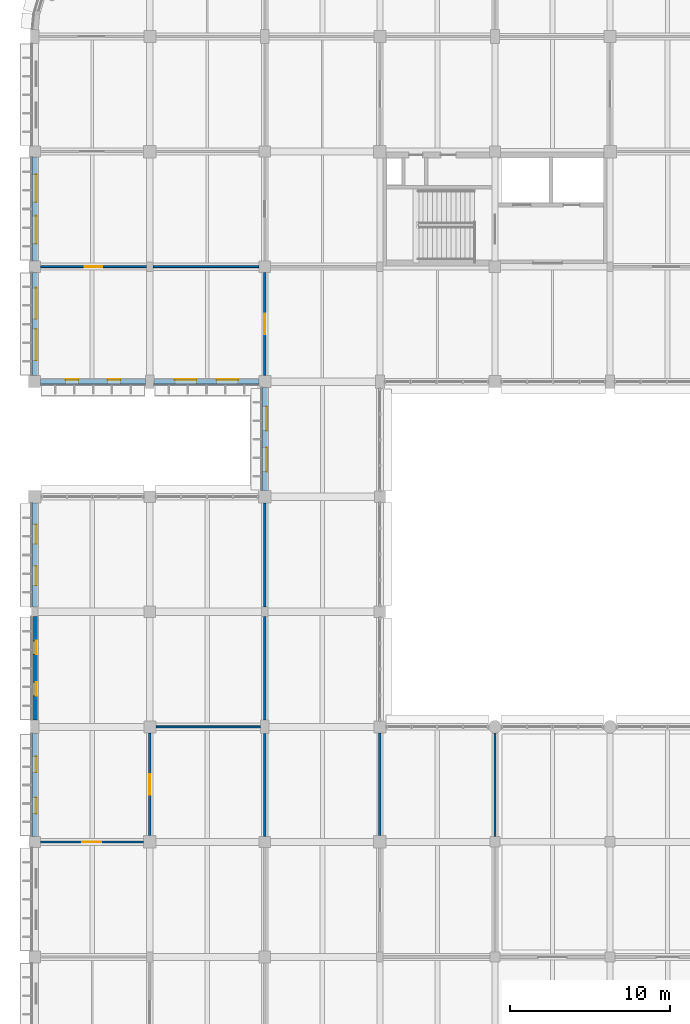
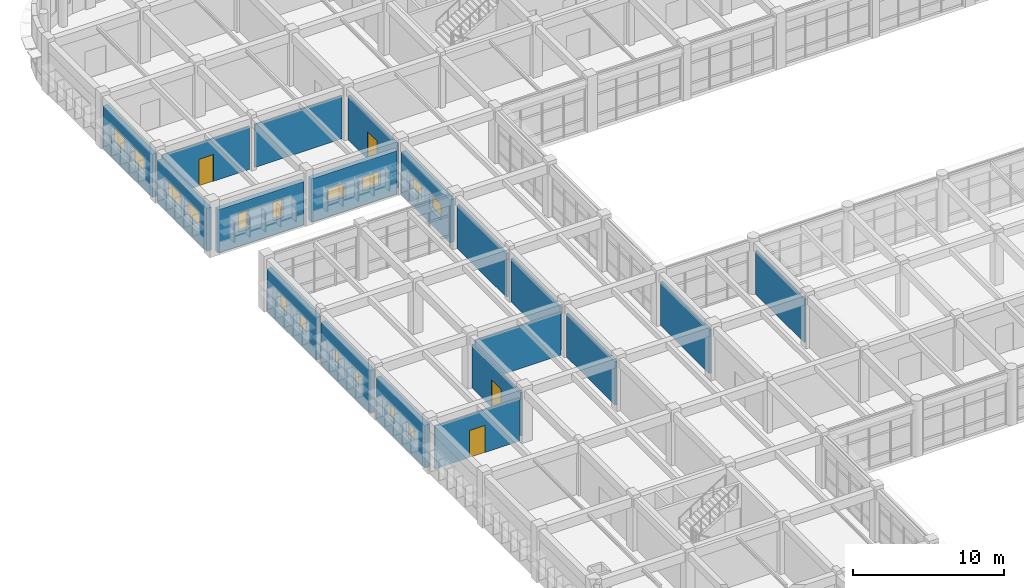
# One storey, part 154 of 171: 19 walls, 16 windows, 4 doors, 20 openings.
"""IFC4 building model written with IfcOpenShell, lengths in metres."""

import ifcopenshell
import ifcopenshell.guid

model = None  # the IFC model being written
_history = None  # IfcOwnerHistory: only IFC2X3 demands one
_inside = {}  # id of a spatial element -> (the spatial element, [elements in it])
_under = {}  # id of a project, library or spatial element -> (it, [spatial elements below it])
_declared = {}  # id of a project -> (the project, [libraries it declares])
_typed = {}  # id of a type object -> (the type object, [elements of that type])
_made_of = {}  # id of a material, layer set ... -> (it, [elements and type objects made of it])


def new_model(schema):
    """Start an empty IFC model of exactly this schema.

    Asked for "IFC4X3", IfcOpenShell would pick the latest addendum, in which some entities
    have other attributes; the version numbers below select the first issue.
    IFC2X3 requires an IfcOwnerHistory on every rooted entity: one is made here for all.
    """
    global model, _history
    if schema == "IFC4X3":
        model = ifcopenshell.file(schema_version=(4, 3, 0, 0))
    else:
        model = ifcopenshell.file(schema=schema)
    _inside.clear()
    _under.clear()
    _declared.clear()
    _typed.clear()
    _made_of.clear()
    _history = None
    if model.schema == "IFC2X3":
        org = make("IfcOrganization", Name="unknown")
        user = make(
            "IfcPersonAndOrganization",
            ThePerson=make("IfcPerson", FamilyName="unknown"),
            TheOrganization=org,
        )
        app = make(
            "IfcApplication",
            ApplicationDeveloper=org,
            Version="unknown",
            ApplicationFullName="unknown",
            ApplicationIdentifier="unknown",
        )
        _history = make(
            "IfcOwnerHistory",
            OwningUser=user,
            OwningApplication=app,
            ChangeAction="ADDED",
            CreationDate=0,
        )
    return model


def make(cls, **values):
    """One entity of the class cls with the attributes given. An attribute that is None is left unset."""
    return model.create_entity(
        cls, **{name: value for name, value in values.items() if value is not None}
    )


def rooted(cls, **values):
    """An entity with a GlobalId (a new one), such as an element, a storey or a relation."""
    return make(cls, GlobalId=ifcopenshell.guid.new(), OwnerHistory=_history, **values)


def si_unit(unit_type, name, prefix=None):
    """IfcSIUnit, for example si_unit("LENGTHUNIT", "METRE", prefix="MILLI")."""
    return make("IfcSIUnit", UnitType=unit_type, Prefix=prefix, Name=name)


def assignment(units):
    """IfcUnitAssignment: the units of a project."""
    return None if units is None else make("IfcUnitAssignment", Units=units)


def point(xyz):
    """IfcCartesianPoint."""
    return None if xyz is None else make("IfcCartesianPoint", Coordinates=xyz)


def direction(xyz):
    """IfcDirection."""
    return None if xyz is None else make("IfcDirection", DirectionRatios=xyz)


def frame(location, z_axis=None, x_axis=None):
    """IfcAxis2Placement3D, a coordinate frame: its origin and axes. An axis left out is left unset."""
    return make(
        "IfcAxis2Placement3D",
        Location=point(location),
        Axis=direction(z_axis),
        RefDirection=direction(x_axis),
    )


def frame_2d(location, x_axis=None):
    """IfcAxis2Placement2D, a coordinate frame in the plane: its origin and x axis."""
    return make(
        "IfcAxis2Placement2D", Location=point(location), RefDirection=direction(x_axis)
    )


def origin():
    """The frame at (0, 0, 0) with its axes left unset."""
    return frame((0.0, 0.0, 0.0))


def place(relative_to, where):
    """IfcLocalPlacement: puts the frame where relative to a parent placement (None: the world)."""
    return make(
        "IfcLocalPlacement", PlacementRelTo=relative_to, RelativePlacement=where
    )


def context(
    kind, dimensions, precision=None, world=None, true_north=None, identifier=None
):
    """IfcGeometricRepresentationContext, for example the 3D "Model" context."""
    return make(
        "IfcGeometricRepresentationContext",
        ContextIdentifier=identifier,
        ContextType=kind,
        CoordinateSpaceDimension=dimensions,
        Precision=precision,
        WorldCoordinateSystem=world,
        TrueNorth=true_north,
    )


def subcontext(parent, identifier, kind, view, scale=None):
    """IfcGeometricRepresentationSubContext, for example "Body" below "Model"."""
    return make(
        "IfcGeometricRepresentationSubContext",
        ContextIdentifier=identifier,
        ContextType=kind,
        ParentContext=parent,
        TargetScale=scale,
        TargetView=view,
    )


def project(units=None, contexts=None):
    """IfcProject with its units and contexts."""
    return rooted(
        "IfcProject",
        Name="project",
        RepresentationContexts=contexts,
        UnitsInContext=assignment(units),
    )


def spatial(cls, under=None, at=None, **own):
    """A site, building, storey or space (cls), placed at a placement, below another one or the project."""
    s = rooted(cls, ObjectPlacement=at, **own)
    if under is not None:
        _under.setdefault(under.id(), (under, []))[1].append(s)
    return s


def profile(cls, at=None, kind="AREA", **sizes):
    """A parametric profile (cls). Its sizes go by their IFC names, for example OverallWidth=200.0."""
    return make(cls, ProfileType=kind, Position=at, **sizes)


def rectangle(**sizes):
    """IfcRectangleProfileDef."""
    return profile("IfcRectangleProfileDef", **sizes)


def extrude(swept, where, along, depth):
    """IfcExtrudedAreaSolid: the profile swept, set in the frame where, extruded along a direction by depth."""
    return make(
        "IfcExtrudedAreaSolid",
        SweptArea=swept,
        Position=where,
        ExtrudedDirection=direction(along),
        Depth=depth,
    )


def shape(context_of_items, identifier, shape_type, items):
    """IfcShapeRepresentation: the items that make up one representation, for example the "Body"."""
    return make(
        "IfcShapeRepresentation",
        ContextOfItems=context_of_items,
        RepresentationIdentifier=identifier,
        RepresentationType=shape_type,
        Items=items,
    )


def material(Name=None, Category=None):
    """IfcMaterial."""
    return make("IfcMaterial", Name=Name, Category=Category)


def layer(
    of_material, thickness, ventilated=None, Name=None, Category=None, Priority=None
):
    """IfcMaterialLayer: one layer of a wall or slab, of a material (None: an air gap)."""
    return make(
        "IfcMaterialLayer",
        Material=of_material,
        LayerThickness=thickness,
        IsVentilated=ventilated,
        Name=Name,
        Category=Category,
        Priority=Priority,
    )


def layer_set(layers, Name=None):
    """IfcMaterialLayerSet."""
    return make("IfcMaterialLayerSet", MaterialLayers=layers, LayerSetName=Name)


def made_of(thing, what):
    """Note that an element or type object is made of a material, layer set ...; save() writes the relation."""
    if what is not None:
        _made_of.setdefault(what.id(), (what, []))[1].append(thing)
    return thing


def type_object(cls, material=None, **own):
    """A type object (cls), such as IfcWallType, which elements share."""
    return made_of(rooted(cls, **own), material)


def element(
    cls,
    number,
    at=None,
    inside=None,
    cuts=None,
    type_object=None,
    material=None,
    context=None,
    identifier="Body",
    shape_type=None,
    held_by="IfcProductDefinitionShape",
    body=None,
    shapes=None,
    **own,
):
    """One element of the class cls, such as IfcWall. Its Tag is "e" and its number.

    at: its placement. inside: the storey or other place that contains it. cuts: it is an
    opening in that element (IfcRelVoidsElement). A single representation is given by context,
    identifier, shape_type and body (its items); several are given by shapes. held_by: the class
    of the entity that holds the representations. save() writes the other relations.
    """
    e = rooted(cls, Tag="e%d" % number, ObjectPlacement=at, **own)
    if body is not None:
        shapes = [shape(context, identifier, shape_type, body)]
    if shapes is not None:
        e.Representation = make(held_by, Representations=shapes)
    if inside is not None:
        _inside.setdefault(inside.id(), (inside, []))[1].append(e)
    if cuts is not None:
        rooted(
            "IfcRelVoidsElement", RelatingBuildingElement=cuts, RelatedOpeningElement=e
        )
    if type_object is not None:
        _typed.setdefault(type_object.id(), (type_object, []))[1].append(e)
    return made_of(e, material)


def fill(opening, filler):
    """IfcRelFillsElement: the door or window that sits in an opening."""
    return rooted(
        "IfcRelFillsElement",
        RelatingOpeningElement=opening,
        RelatedBuildingElement=filler,
    )


def aggregate(whole, parts):
    """IfcRelAggregates: a whole, such as a stair, and the parts it consists of."""
    return rooted("IfcRelAggregates", RelatingObject=whole, RelatedObjects=parts)


def save(model, path):
    """Write the relations noted so far, then the file.

    IfcRelAggregates (storeys below a building ...), IfcRelContainedInSpatialStructure (elements
    in a storey), IfcRelDefinesByType, IfcRelAssociatesMaterial and IfcRelDeclares: one each for
    every whole, place, type object, material and project.
    """
    for whole, parts in _under.values():
        aggregate(whole, parts)
    for where, things in _inside.values():
        rooted(
            "IfcRelContainedInSpatialStructure",
            RelatedElements=things,
            RelatingStructure=where,
        )
    for kind, things in _typed.values():
        rooted("IfcRelDefinesByType", RelatedObjects=things, RelatingType=kind)
    for what, things in _made_of.values():
        rooted("IfcRelAssociatesMaterial", RelatedObjects=things, RelatingMaterial=what)
    for by, libraries in _declared.values():
        rooted("IfcRelDeclares", RelatingContext=by, RelatedDefinitions=libraries)
    model.write(path)


model = new_model("IFC4")

# Units and contexts
model_context = context("Model", 3, precision=1e-05, world=origin(), true_north=direction((0.0, 1.0)))
body_context = subcontext(model_context, "Body", "Model", "MODEL_VIEW")
ifc_project = project(units=[si_unit("LENGTHUNIT", "METRE"), si_unit("AREAUNIT", "SQUARE_METRE"), si_unit("VOLUMEUNIT", "CUBIC_METRE"), si_unit("PLANEANGLEUNIT", "RADIAN"), si_unit("MASSUNIT", "GRAM", prefix="KILO")], contexts=[model_context])

# Site, building, storey
site_placement = place(None, origin())
site = spatial("IfcSite", under=ifc_project, at=site_placement, CompositionType="ELEMENT")
building_placement = place(site_placement, origin())
building = spatial("IfcBuilding", under=site, at=building_placement, Name="Thalmaran Polytechnic", CompositionType="ELEMENT")
storey_placement = place(building_placement, frame((0.0, 0.0, 5.39990234375)))
storey = spatial("IfcBuildingStorey", under=building, at=storey_placement, Name="L01", CompositionType="ELEMENT", Elevation=5.39990234375)

# Wall, openings, windows
ifc_material_1 = material(Name="Precast concrete C40/50", Category="concrete")
ifc_layer_1 = layer(ifc_material_1, 0.360107421875, Name="Precast concrete C40/50")
ifc_layer_set_1 = layer_set([ifc_layer_1], Name="Precast concrete C40/50")
wall_type_1 = type_object("IfcWallType", Name="WL-EW01", PredefinedType="STANDARD", material=ifc_layer_set_1)
wall_1_placement = place(storey_placement, frame((0.0, 65.14990234375, 0.0), z_axis=(0.0, 0.0, 1.0), x_axis=(0.0, 1.0, 0.0)))
wall_1 = element("IfcWall", 1, at=wall_1_placement, inside=storey, type_object=wall_type_1, Name="Exterior Precast Facade Wall L01-010", PredefinedType="STANDARD", context=body_context, shape_type="SweptSolid", body=[
    extrude(rectangle(XDim=6.425048828125, YDim=0.360107421875, at=frame_2d((3.21240234375, 0.0))), origin(), (0.0, 0.0, 1.0), 3.455078125),
])
opening_1_placement = place(wall_1_placement, frame((1.427490234375, 0.0, 1.14990234375)))
opening_1 = element("IfcOpeningElement", 2, at=opening_1_placement, cuts=wall_1, Name="Opening VW13", PredefinedType="OPENING", context=body_context, shape_type="SweptSolid", body=[
    extrude(rectangle(XDim=1.0, YDim=1.199951171875, at=frame_2d((0.5, 0.60009765625))), frame((0.0, 0.18994140625, 0.0), z_axis=(0.0, -1.0, 0.0), x_axis=(1.0, 0.0, 0.0)), (0.0, 0.0, 1.0), 0.380126953125),
])
opening_2_placement = place(wall_1_placement, frame((3.99755859375, 0.0, 1.14990234375)))
opening_2 = element("IfcOpeningElement", 3, at=opening_2_placement, cuts=wall_1, Name="Opening VW13", PredefinedType="OPENING", context=body_context, shape_type="SweptSolid", body=[
    extrude(rectangle(XDim=1.0, YDim=1.199951171875, at=frame_2d((0.5, 0.60009765625))), frame((0.0, 0.18994140625, 0.0), z_axis=(0.0, -1.0, 0.0), x_axis=(1.0, 0.0, 0.0)), (0.0, 0.0, 1.0), 0.380126953125),
])
ifc_material_2 = material(Name="Thermally broken aluminium and double low-E glass", Category="aluminium")
window_type_1 = type_object("IfcWindowType", Name="WN-VZ13", PartitioningType="SINGLE_PANEL", PredefinedType="WINDOW", material=ifc_material_2)
window_1_placement = place(opening_1_placement, origin())
window_1 = element("IfcWindow", 4, at=window_1_placement, inside=storey, type_object=window_type_1, Name="Deep-Set Solar-Screened Window W-0100", OverallHeight=1.199951171875, OverallWidth=1.0, PartitioningType="SINGLE_PANEL", PredefinedType="WINDOW", context=body_context, shape_type="SweptSolid", body=[
    extrude(rectangle(XDim=1.0, YDim=1.199951171875, at=frame_2d((0.5, 0.60009765625))), frame((0.0, -0.080078125, 0.0), z_axis=(0.0, -1.0, 0.0), x_axis=(1.0, 0.0, 0.0)), (0.0, 0.0, 1.0), 0.06005859375),
])
fill(opening_1, window_1)
window_2_placement = place(opening_2_placement, origin())
window_2 = element("IfcWindow", 5, at=window_2_placement, inside=storey, type_object=window_type_1, Name="Deep-Set Solar-Screened Window W-0101", OverallHeight=1.199951171875, OverallWidth=1.0, PartitioningType="SINGLE_PANEL", PredefinedType="WINDOW", context=body_context, shape_type="SweptSolid", body=[
    extrude(rectangle(XDim=1.0, YDim=1.199951171875, at=frame_2d((0.5, 0.60009765625))), frame((0.0, -0.080078125, 0.0), z_axis=(0.0, -1.0, 0.0), x_axis=(1.0, 0.0, 0.0)), (0.0, 0.0, 1.0), 0.06005859375),
])
fill(opening_2, window_2)

wall_2_placement = place(storey_placement, frame((0.0, 72.425048828125, 0.0), z_axis=(0.0, 0.0, 1.0), x_axis=(0.0, 1.0, 0.0)))
wall_2 = element("IfcWall", 6, at=wall_2_placement, inside=storey, type_object=wall_type_1, Name="Exterior Precast Facade Wall L01-011", PredefinedType="STANDARD", context=body_context, shape_type="SweptSolid", body=[
    extrude(rectangle(XDim=6.474853515625, YDim=0.360107421875, at=frame_2d((3.2373046875, 0.0))), origin(), (0.0, 0.0, 1.0), 3.455078125),
])
opening_3_placement = place(wall_2_placement, frame((1.517578125, 0.0, 1.14990234375)))
opening_3 = element("IfcOpeningElement", 7, at=opening_3_placement, cuts=wall_2, Name="Opening VW14", PredefinedType="OPENING", context=body_context, shape_type="SweptSolid", body=[
    extrude(rectangle(XDim=0.85009765625, YDim=1.25, at=frame_2d((0.425048828125, 0.625))), frame((0.0, 0.18994140625, 0.0), z_axis=(0.0, -1.0, 0.0), x_axis=(1.0, 0.0, 0.0)), (0.0, 0.0, 1.0), 0.380126953125),
])
opening_4_placement = place(wall_2_placement, frame((4.107421875, 0.0, 1.14990234375)))
opening_4 = element("IfcOpeningElement", 8, at=opening_4_placement, cuts=wall_2, Name="Opening VW14", PredefinedType="OPENING", context=body_context, shape_type="SweptSolid", body=[
    extrude(rectangle(XDim=0.85009765625, YDim=1.25, at=frame_2d((0.425048828125, 0.625))), frame((0.0, 0.18994140625, 0.0), z_axis=(0.0, -1.0, 0.0), x_axis=(1.0, 0.0, 0.0)), (0.0, 0.0, 1.0), 0.380126953125),
])
window_type_2 = type_object("IfcWindowType", Name="WN-VZ14", PartitioningType="SINGLE_PANEL", PredefinedType="WINDOW", material=ifc_material_2)
window_3_placement = place(opening_3_placement, origin())
window_3 = element("IfcWindow", 9, at=window_3_placement, inside=storey, type_object=window_type_2, Name="Deep-Set Solar-Screened Window W-0102", OverallHeight=1.25, OverallWidth=0.85009765625, PartitioningType="SINGLE_PANEL", PredefinedType="WINDOW", context=body_context, shape_type="SweptSolid", body=[
    extrude(rectangle(XDim=0.85009765625, YDim=1.25, at=frame_2d((0.425048828125, 0.625))), frame((0.0, -0.080078125, 0.0), z_axis=(0.0, -1.0, 0.0), x_axis=(1.0, 0.0, 0.0)), (0.0, 0.0, 1.0), 0.06005859375),
])
fill(opening_3, window_3)
window_4_placement = place(opening_4_placement, origin())
window_4 = element("IfcWindow", 10, at=window_4_placement, inside=storey, type_object=window_type_2, Name="Deep-Set Solar-Screened Window W-0103", OverallHeight=1.25, OverallWidth=0.85009765625, PartitioningType="SINGLE_PANEL", PredefinedType="WINDOW", context=body_context, shape_type="SweptSolid", body=[
    extrude(rectangle(XDim=0.85009765625, YDim=1.25, at=frame_2d((0.425048828125, 0.625))), frame((0.0, -0.080078125, 0.0), z_axis=(0.0, -1.0, 0.0), x_axis=(1.0, 0.0, 0.0)), (0.0, 0.0, 1.0), 0.06005859375),
])
fill(opening_4, window_4)

wall_3_placement = place(storey_placement, frame((0.0, 79.5, 0.0), z_axis=(0.0, 0.0, 1.0), x_axis=(0.0, 1.0, 0.0)))
wall_3 = element("IfcWall", 11, at=wall_3_placement, inside=storey, type_object=wall_type_1, Name="Exterior Precast Facade Wall L01-012", PredefinedType="STANDARD", context=body_context, shape_type="SweptSolid", body=[
    extrude(rectangle(XDim=6.510009765625, YDim=0.360107421875, at=frame_2d((3.2548828125, 0.0))), origin(), (0.0, 0.0, 1.0), 3.455078125),
])
opening_5_placement = place(wall_3_placement, frame((1.35302734375, 0.0, 1.14990234375)))
opening_5 = element("IfcOpeningElement", 12, at=opening_5_placement, cuts=wall_3, Name="Opening PW11", PredefinedType="OPENING", context=body_context, shape_type="SweptSolid", body=[
    extrude(rectangle(XDim=1.199951171875, YDim=1.35009765625, at=frame_2d((0.60009765625, 0.675048828125))), frame((0.0, 0.18994140625, 0.0), z_axis=(0.0, -1.0, 0.0), x_axis=(1.0, 0.0, 0.0)), (0.0, 0.0, 1.0), 0.380126953125),
])
opening_6_placement = place(wall_3_placement, frame((3.95703125, 0.0, 1.14990234375)))
opening_6 = element("IfcOpeningElement", 13, at=opening_6_placement, cuts=wall_3, Name="Opening PW11", PredefinedType="OPENING", context=body_context, shape_type="SweptSolid", body=[
    extrude(rectangle(XDim=1.199951171875, YDim=1.35009765625, at=frame_2d((0.60009765625, 0.675048828125))), frame((0.0, 0.18994140625, 0.0), z_axis=(0.0, -1.0, 0.0), x_axis=(1.0, 0.0, 0.0)), (0.0, 0.0, 1.0), 0.380126953125),
])
window_type_3 = type_object("IfcWindowType", Name="WN-PW01", PartitioningType="SINGLE_PANEL", PredefinedType="WINDOW", material=ifc_material_2)
window_5_placement = place(opening_5_placement, origin())
window_5 = element("IfcWindow", 14, at=window_5_placement, inside=storey, type_object=window_type_3, Name="Deep-Set Solar-Screened Window W-0104", OverallHeight=1.35009765625, OverallWidth=1.199951171875, PartitioningType="SINGLE_PANEL", PredefinedType="WINDOW", context=body_context, shape_type="SweptSolid", body=[
    extrude(rectangle(XDim=1.199951171875, YDim=1.35009765625, at=frame_2d((0.60009765625, 0.675048828125))), frame((0.0, -0.080078125, 0.0), z_axis=(0.0, -1.0, 0.0), x_axis=(1.0, 0.0, 0.0)), (0.0, 0.0, 1.0), 0.06005859375),
])
fill(opening_5, window_5)
window_6_placement = place(opening_6_placement, origin())
window_6 = element("IfcWindow", 15, at=window_6_placement, inside=storey, type_object=window_type_3, Name="Deep-Set Solar-Screened Window W-0105", OverallHeight=1.35009765625, OverallWidth=1.199951171875, PartitioningType="SINGLE_PANEL", PredefinedType="WINDOW", context=body_context, shape_type="SweptSolid", body=[
    extrude(rectangle(XDim=1.199951171875, YDim=1.35009765625, at=frame_2d((0.60009765625, 0.675048828125))), frame((0.0, -0.080078125, 0.0), z_axis=(0.0, -1.0, 0.0), x_axis=(1.0, 0.0, 0.0)), (0.0, 0.0, 1.0), 0.06005859375),
])
fill(opening_6, window_6)

wall_4_placement = place(storey_placement, frame((14.39990234375, 86.7900390625, 0.0), z_axis=(0.0, 0.0, 1.0), x_axis=(0.0, 1.0, 0.0)))
wall_4 = element("IfcWall", 16, at=wall_4_placement, inside=storey, type_object=wall_type_1, Name="Exterior Precast Facade Wall L01-015", PredefinedType="STANDARD", context=body_context, shape_type="SweptSolid", body=[
    extrude(rectangle(XDim=6.43505859375, YDim=0.360107421875, at=frame_2d((3.217529296875, 0.0))), origin(), (0.0, 0.0, 1.0), 3.455078125),
])
opening_7_placement = place(wall_4_placement, frame((1.180419921875, 0.0, 1.14990234375)))
opening_7 = element("IfcOpeningElement", 17, at=opening_7_placement, cuts=wall_4, Name="Opening PW14", PredefinedType="OPENING", context=body_context, shape_type="SweptSolid", body=[
    extrude(rectangle(XDim=1.5, YDim=1.199951171875, at=frame_2d((0.75, 0.60009765625))), frame((0.0, 0.18994140625, 0.0), z_axis=(0.0, -1.0, 0.0), x_axis=(1.0, 0.0, 0.0)), (0.0, 0.0, 1.0), 0.380126953125),
])
opening_8_placement = place(wall_4_placement, frame((3.75439453125, 0.0, 1.14990234375)))
opening_8 = element("IfcOpeningElement", 18, at=opening_8_placement, cuts=wall_4, Name="Opening PW14", PredefinedType="OPENING", context=body_context, shape_type="SweptSolid", body=[
    extrude(rectangle(XDim=1.5, YDim=1.199951171875, at=frame_2d((0.75, 0.60009765625))), frame((0.0, 0.18994140625, 0.0), z_axis=(0.0, -1.0, 0.0), x_axis=(1.0, 0.0, 0.0)), (0.0, 0.0, 1.0), 0.380126953125),
])
window_type_4 = type_object("IfcWindowType", Name="WN-PW04", PartitioningType="DOUBLE_PANEL_VERTICAL", PredefinedType="WINDOW", material=ifc_material_2)
window_7_placement = place(opening_7_placement, origin())
window_7 = element("IfcWindow", 19, at=window_7_placement, inside=storey, type_object=window_type_4, Name="Deep-Set Solar-Screened Window W-0106", OverallHeight=1.199951171875, OverallWidth=1.5, PartitioningType="SINGLE_PANEL", PredefinedType="WINDOW", context=body_context, shape_type="SweptSolid", body=[
    extrude(rectangle(XDim=1.5, YDim=1.199951171875, at=frame_2d((0.75, 0.60009765625))), frame((0.0, -0.080078125, 0.0), z_axis=(0.0, -1.0, 0.0), x_axis=(1.0, 0.0, 0.0)), (0.0, 0.0, 1.0), 0.06005859375),
])
fill(opening_7, window_7)
window_8_placement = place(opening_8_placement, origin())
window_8 = element("IfcWindow", 20, at=window_8_placement, inside=storey, type_object=window_type_4, Name="Deep-Set Solar-Screened Window W-0107", OverallHeight=1.199951171875, OverallWidth=1.5, PartitioningType="SINGLE_PANEL", PredefinedType="WINDOW", context=body_context, shape_type="SweptSolid", body=[
    extrude(rectangle(XDim=1.5, YDim=1.199951171875, at=frame_2d((0.75, 0.60009765625))), frame((0.0, -0.080078125, 0.0), z_axis=(0.0, -1.0, 0.0), x_axis=(1.0, 0.0, 0.0)), (0.0, 0.0, 1.0), 0.06005859375),
])
fill(opening_8, window_8)

wall_5_placement = place(storey_placement, frame((14.02490234375, 93.60009765625, 0.0), z_axis=(0.0, 0.0, 1.0), x_axis=(-1.0, 0.0, 0.0)))
wall_5 = element("IfcWall", 21, at=wall_5_placement, inside=storey, type_object=wall_type_1, Name="Exterior Precast Facade Wall L01-016", PredefinedType="STANDARD", context=body_context, shape_type="SweptSolid", body=[
    extrude(rectangle(XDim=6.5498046875, YDim=0.360107421875, at=frame_2d((3.27490234375, 0.0))), origin(), (0.0, 0.0, 1.0), 3.489990234375),
])
opening_9_placement = place(wall_5_placement, frame((1.2900390625, 0.0, 1.14990234375)))
opening_9 = element("IfcOpeningElement", 22, at=opening_9_placement, cuts=wall_5, Name="Opening PW15", PredefinedType="OPENING", context=body_context, shape_type="SweptSolid", body=[
    extrude(rectangle(XDim=1.35009765625, YDim=1.10009765625, at=frame_2d((0.675048828125, 0.550048828125))), frame((0.0, 0.18994140625, 0.0), z_axis=(0.0, -1.0, 0.0), x_axis=(1.0, 0.0, 0.0)), (0.0, 0.0, 1.0), 0.380126953125),
])
opening_10_placement = place(wall_5_placement, frame((3.909912109375, 0.0, 1.14990234375)))
opening_10 = element("IfcOpeningElement", 23, at=opening_10_placement, cuts=wall_5, Name="Opening PW15", PredefinedType="OPENING", context=body_context, shape_type="SweptSolid", body=[
    extrude(rectangle(XDim=1.35009765625, YDim=1.10009765625, at=frame_2d((0.675048828125, 0.550048828125))), frame((0.0, 0.18994140625, 0.0), z_axis=(0.0, -1.0, 0.0), x_axis=(1.0, 0.0, 0.0)), (0.0, 0.0, 1.0), 0.380126953125),
])
window_type_5 = type_object("IfcWindowType", Name="WN-PW05", PartitioningType="SINGLE_PANEL", PredefinedType="WINDOW", material=ifc_material_2)
window_9_placement = place(opening_9_placement, origin())
window_9 = element("IfcWindow", 24, at=window_9_placement, inside=storey, type_object=window_type_5, Name="Deep-Set Solar-Screened Window W-0108", OverallHeight=1.10009765625, OverallWidth=1.35009765625, PartitioningType="SINGLE_PANEL", PredefinedType="WINDOW", context=body_context, shape_type="SweptSolid", body=[
    extrude(rectangle(XDim=1.35009765625, YDim=1.10009765625, at=frame_2d((0.675048828125, 0.550048828125))), frame((0.0, -0.080078125, 0.0), z_axis=(0.0, -1.0, 0.0), x_axis=(1.0, 0.0, 0.0)), (0.0, 0.0, 1.0), 0.06005859375),
])
fill(opening_9, window_9)
window_10_placement = place(opening_10_placement, origin())
window_10 = element("IfcWindow", 25, at=window_10_placement, inside=storey, type_object=window_type_5, Name="Deep-Set Solar-Screened Window W-0109", OverallHeight=1.10009765625, OverallWidth=1.35009765625, PartitioningType="SINGLE_PANEL", PredefinedType="WINDOW", context=body_context, shape_type="SweptSolid", body=[
    extrude(rectangle(XDim=1.35009765625, YDim=1.10009765625, at=frame_2d((0.675048828125, 0.550048828125))), frame((0.0, -0.080078125, 0.0), z_axis=(0.0, -1.0, 0.0), x_axis=(1.0, 0.0, 0.0)), (0.0, 0.0, 1.0), 0.06005859375),
])
fill(opening_10, window_10)

wall_6_placement = place(storey_placement, frame((6.925048828125, 93.60009765625, 0.0), z_axis=(0.0, 0.0, 1.0), x_axis=(-1.0, 0.0, 0.0)))
wall_6 = element("IfcWall", 26, at=wall_6_placement, inside=storey, type_object=wall_type_1, Name="Exterior Precast Facade Wall L01-017", PredefinedType="STANDARD", context=body_context, shape_type="SweptSolid", body=[
    extrude(rectangle(XDim=6.550048828125, YDim=0.360107421875, at=frame_2d((3.27490234375, 0.0))), origin(), (0.0, 0.0, 1.0), 3.489990234375),
])
opening_11_placement = place(wall_6_placement, frame((1.56494140625, 0.0, 1.14990234375)))
opening_11 = element("IfcOpeningElement", 27, at=opening_11_placement, cuts=wall_6, Name="Opening PW16", PredefinedType="OPENING", context=body_context, shape_type="SweptSolid", body=[
    extrude(rectangle(XDim=0.800048828125, YDim=1.5, at=frame_2d((0.39990234375, 0.75))), frame((0.0, 0.18994140625, 0.0), z_axis=(0.0, -1.0, 0.0), x_axis=(1.0, 0.0, 0.0)), (0.0, 0.0, 1.0), 0.380126953125),
])
opening_12_placement = place(wall_6_placement, frame((4.18505859375, 0.0, 1.14990234375)))
opening_12 = element("IfcOpeningElement", 28, at=opening_12_placement, cuts=wall_6, Name="Opening PW16", PredefinedType="OPENING", context=body_context, shape_type="SweptSolid", body=[
    extrude(rectangle(XDim=0.800048828125, YDim=1.5, at=frame_2d((0.39990234375, 0.75))), frame((0.0, 0.18994140625, 0.0), z_axis=(0.0, -1.0, 0.0), x_axis=(1.0, 0.0, 0.0)), (0.0, 0.0, 1.0), 0.380126953125),
])
window_type_6 = type_object("IfcWindowType", Name="WN-PW06", PartitioningType="SINGLE_PANEL", PredefinedType="WINDOW", material=ifc_material_2)
window_11_placement = place(opening_11_placement, origin())
window_11 = element("IfcWindow", 29, at=window_11_placement, inside=storey, type_object=window_type_6, Name="Deep-Set Solar-Screened Window W-0110", OverallHeight=1.5, OverallWidth=0.800048828125, PartitioningType="SINGLE_PANEL", PredefinedType="WINDOW", context=body_context, shape_type="SweptSolid", body=[
    extrude(rectangle(XDim=0.800048828125, YDim=1.5, at=frame_2d((0.39990234375, 0.75))), frame((0.0, -0.080078125, 0.0), z_axis=(0.0, -1.0, 0.0), x_axis=(1.0, 0.0, 0.0)), (0.0, 0.0, 1.0), 0.06005859375),
])
fill(opening_11, window_11)
window_12_placement = place(opening_12_placement, origin())
window_12 = element("IfcWindow", 30, at=window_12_placement, inside=storey, type_object=window_type_6, Name="Deep-Set Solar-Screened Window W-0111", OverallHeight=1.5, OverallWidth=0.800048828125, PartitioningType="SINGLE_PANEL", PredefinedType="WINDOW", context=body_context, shape_type="SweptSolid", body=[
    extrude(rectangle(XDim=0.800048828125, YDim=1.5, at=frame_2d((0.39990234375, 0.75))), frame((0.0, -0.080078125, 0.0), z_axis=(0.0, -1.0, 0.0), x_axis=(1.0, 0.0, 0.0)), (0.0, 0.0, 1.0), 0.06005859375),
])
fill(opening_12, window_12)

wall_7_placement = place(storey_placement, frame((0.0, 93.97509765625, 0.0), z_axis=(0.0, 0.0, 1.0), x_axis=(0.0, 1.0, 0.0)))
wall_7 = element("IfcWall", 31, at=wall_7_placement, inside=storey, type_object=wall_type_1, Name="Exterior Precast Facade Wall L01-018", PredefinedType="STANDARD", context=body_context, shape_type="SweptSolid", body=[
    extrude(rectangle(XDim=6.46484375, YDim=0.360107421875, at=frame_2d((3.232421875, 0.0))), origin(), (0.0, 0.0, 1.0), 3.455078125),
])
opening_13_placement = place(wall_7_placement, frame((0.964599609375, 0.0, 1.14990234375)))
opening_13 = element("IfcOpeningElement", 32, at=opening_13_placement, cuts=wall_7, Name="Opening VW07", PredefinedType="OPENING", context=body_context, shape_type="SweptSolid", body=[
    extrude(rectangle(XDim=1.949951171875, YDim=1.39990234375, at=frame_2d((0.97509765625, 0.699951171875))), frame((0.0, 0.18994140625, 0.0), z_axis=(0.0, -1.0, 0.0), x_axis=(1.0, 0.0, 0.0)), (0.0, 0.0, 1.0), 0.380126953125),
])
opening_14_placement = place(wall_7_placement, frame((3.550537109375, 0.0, 1.14990234375)))
opening_14 = element("IfcOpeningElement", 33, at=opening_14_placement, cuts=wall_7, Name="Opening VW07", PredefinedType="OPENING", context=body_context, shape_type="SweptSolid", body=[
    extrude(rectangle(XDim=1.949951171875, YDim=1.39990234375, at=frame_2d((0.97509765625, 0.699951171875))), frame((0.0, 0.18994140625, 0.0), z_axis=(0.0, -1.0, 0.0), x_axis=(1.0, 0.0, 0.0)), (0.0, 0.0, 1.0), 0.380126953125),
])
window_type_7 = type_object("IfcWindowType", Name="WN-VZ07", PartitioningType="SINGLE_PANEL", PredefinedType="WINDOW", material=ifc_material_2)
window_13_placement = place(opening_13_placement, origin())
window_13 = element("IfcWindow", 34, at=window_13_placement, inside=storey, type_object=window_type_7, Name="Deep-Set Solar-Screened Window W-0112", OverallHeight=1.39990234375, OverallWidth=1.949951171875, PartitioningType="SINGLE_PANEL", PredefinedType="WINDOW", context=body_context, shape_type="SweptSolid", body=[
    extrude(rectangle(XDim=1.949951171875, YDim=1.39990234375, at=frame_2d((0.97509765625, 0.699951171875))), frame((0.0, -0.080078125, 0.0), z_axis=(0.0, -1.0, 0.0), x_axis=(1.0, 0.0, 0.0)), (0.0, 0.0, 1.0), 0.06005859375),
])
fill(opening_13, window_13)
window_14_placement = place(opening_14_placement, origin())
window_14 = element("IfcWindow", 35, at=window_14_placement, inside=storey, type_object=window_type_7, Name="Deep-Set Solar-Screened Window W-0113", OverallHeight=1.39990234375, OverallWidth=1.949951171875, PartitioningType="SINGLE_PANEL", PredefinedType="WINDOW", context=body_context, shape_type="SweptSolid", body=[
    extrude(rectangle(XDim=1.949951171875, YDim=1.39990234375, at=frame_2d((0.97509765625, 0.699951171875))), frame((0.0, -0.080078125, 0.0), z_axis=(0.0, -1.0, 0.0), x_axis=(1.0, 0.0, 0.0)), (0.0, 0.0, 1.0), 0.06005859375),
])
fill(opening_14, window_14)

wall_8_placement = place(storey_placement, frame((0.0, 101.159912109375, 0.0), z_axis=(0.0, 0.0, 1.0), x_axis=(0.0, 1.0, 0.0)))
wall_8 = element("IfcWall", 36, at=wall_8_placement, inside=storey, type_object=wall_type_1, Name="Exterior Precast Facade Wall L01-019", PredefinedType="STANDARD", context=body_context, shape_type="SweptSolid", body=[
    extrude(rectangle(XDim=6.489990234375, YDim=0.360107421875, at=frame_2d((3.2451171875, 0.0))), origin(), (0.0, 0.0, 1.0), 3.455078125),
])
opening_15_placement = place(wall_8_placement, frame((1.072021484375, 0.0, 1.14990234375)))
opening_15 = element("IfcOpeningElement", 37, at=opening_15_placement, cuts=wall_8, Name="Opening VW08", PredefinedType="OPENING", context=body_context, shape_type="SweptSolid", body=[
    extrude(rectangle(XDim=1.75, YDim=1.39990234375, at=frame_2d((0.875, 0.699951171875))), frame((0.0, 0.18994140625, 0.0), z_axis=(0.0, -1.0, 0.0), x_axis=(1.0, 0.0, 0.0)), (0.0, 0.0, 1.0), 0.380126953125),
])
opening_16_placement = place(wall_8_placement, frame((3.66796875, 0.0, 1.14990234375)))
opening_16 = element("IfcOpeningElement", 38, at=opening_16_placement, cuts=wall_8, Name="Opening VW08", PredefinedType="OPENING", context=body_context, shape_type="SweptSolid", body=[
    extrude(rectangle(XDim=1.75, YDim=1.39990234375, at=frame_2d((0.875, 0.699951171875))), frame((0.0, 0.18994140625, 0.0), z_axis=(0.0, -1.0, 0.0), x_axis=(1.0, 0.0, 0.0)), (0.0, 0.0, 1.0), 0.380126953125),
])
window_type_8 = type_object("IfcWindowType", Name="WN-VZ08", PartitioningType="SINGLE_PANEL", PredefinedType="WINDOW", material=ifc_material_2)
window_15_placement = place(opening_15_placement, origin())
window_15 = element("IfcWindow", 39, at=window_15_placement, inside=storey, type_object=window_type_8, Name="Deep-Set Solar-Screened Window W-0114", OverallHeight=1.39990234375, OverallWidth=1.75, PartitioningType="SINGLE_PANEL", PredefinedType="WINDOW", context=body_context, shape_type="SweptSolid", body=[
    extrude(rectangle(XDim=1.75, YDim=1.39990234375, at=frame_2d((0.875, 0.699951171875))), frame((0.0, -0.080078125, 0.0), z_axis=(0.0, -1.0, 0.0), x_axis=(1.0, 0.0, 0.0)), (0.0, 0.0, 1.0), 0.06005859375),
])
fill(opening_15, window_15)
window_16_placement = place(opening_16_placement, origin())
window_16 = element("IfcWindow", 40, at=window_16_placement, inside=storey, type_object=window_type_8, Name="Deep-Set Solar-Screened Window W-0115", OverallHeight=1.39990234375, OverallWidth=1.75, PartitioningType="SINGLE_PANEL", PredefinedType="WINDOW", context=body_context, shape_type="SweptSolid", body=[
    extrude(rectangle(XDim=1.75, YDim=1.39990234375, at=frame_2d((0.875, 0.699951171875))), frame((0.0, -0.080078125, 0.0), z_axis=(0.0, -1.0, 0.0), x_axis=(1.0, 0.0, 0.0)), (0.0, 0.0, 1.0), 0.06005859375),
])
fill(opening_16, window_16)

# Walls
ifc_material_3 = material(Name="Gypsum acoustic partition")
ifc_layer_2 = layer(ifc_material_3, 0.159912109375, Name="Gypsum acoustic partition")
ifc_layer_set_2 = layer_set([ifc_layer_2], Name="Gypsum acoustic partition")
wall_type_2 = type_object("IfcWallType", Name="WL-IW05", PredefinedType="PARTITIONING", material=ifc_layer_set_2)
wall_9_placement = place(storey_placement, frame((14.39990234375, 65.155029296875, 0.0), z_axis=(0.0, 0.0, 1.0), x_axis=(0.0, 1.0, 0.0)))
element("IfcWall", 41, at=wall_9_placement, inside=storey, type_object=wall_type_2, Name="Interior Partition IW05 L01-016", PredefinedType="PARTITIONING", context=body_context, shape_type="SweptSolid", body=[
    extrude(rectangle(XDim=6.4150390625, YDim=0.159912109375, at=frame_2d((3.20751953125, 0.0))), origin(), (0.0, 0.0, 1.0), 3.52001953125),
])
wall_10_placement = place(storey_placement, frame((14.39990234375, 72.429931640625, 0.0), z_axis=(0.0, 0.0, 1.0), x_axis=(0.0, 1.0, 0.0)))
element("IfcWall", 42, at=wall_10_placement, inside=storey, type_object=wall_type_2, Name="Interior Partition IW05 L01-018", PredefinedType="PARTITIONING", context=body_context, shape_type="SweptSolid", body=[
    extrude(rectangle(XDim=6.465087890625, YDim=0.159912109375, at=frame_2d((3.232421875, 0.0))), origin(), (0.0, 0.0, 1.0), 3.51513671875),
])
wall_11_placement = place(storey_placement, frame((14.39990234375, 79.5048828125, 0.0), z_axis=(0.0, 0.0, 1.0), x_axis=(0.0, 1.0, 0.0)))
element("IfcWall", 43, at=wall_11_placement, inside=storey, type_object=wall_type_2, Name="Interior Partition IW05 L01-019", PredefinedType="PARTITIONING", context=body_context, shape_type="SweptSolid", body=[
    extrude(rectangle(XDim=6.5, YDim=0.159912109375, at=frame_2d((3.25, 0.0))), origin(), (0.0, 0.0, 1.0), 3.51513671875),
])

# Wall, opening, door
wall_12_placement = place(storey_placement, frame((14.39990234375, 93.97998046875, 0.0), z_axis=(0.0, 0.0, 1.0), x_axis=(0.0, 1.0, 0.0)))
wall_12 = element("IfcWall", 44, at=wall_12_placement, inside=storey, type_object=wall_type_2, Name="Interior Partition IW05 L01-020", PredefinedType="PARTITIONING", context=body_context, shape_type="SweptSolid", body=[
    extrude(rectangle(XDim=6.455078125, YDim=0.159912109375, at=frame_2d((3.2275390625, 0.0))), origin(), (0.0, 0.0, 1.0), 3.5751953125),
])
opening_17_placement = place(wall_12_placement, frame((2.58740234375, 0.0, 0.0)))
opening_17 = element("IfcOpeningElement", 45, at=opening_17_placement, cuts=wall_12, Name="Opening D-L01-015-2-01-1", PredefinedType="OPENING", context=body_context, shape_type="SweptSolid", body=[
    extrude(rectangle(XDim=1.280029296875, YDim=2.239990234375, at=frame_2d((0.64013671875, 1.1201171875))), frame((0.0, 0.08984375, 0.0), z_axis=(0.0, -1.0, 0.0), x_axis=(1.0, 0.0, 0.0)), (0.0, 0.0, 1.0), 0.179931640625),
])
ifc_material_4 = material(Name="Powder-coated fire-rated steel", Category="steel")
door_type_1 = type_object("IfcDoorType", Name="DR-ZD10", OperationType="NOTDEFINED", PredefinedType="DOOR", material=ifc_material_4)
door_1_placement = place(opening_17_placement, origin())
door_1 = element("IfcDoor", 46, at=door_1_placement, inside=storey, type_object=door_type_1, Name="Digital Learning Commons L01-01 Door 1", OperationType="SINGLE_SWING_RIGHT", OverallHeight=2.239990234375, OverallWidth=1.280029296875, PredefinedType="DOOR", context=body_context, shape_type="SweptSolid", body=[
    extrude(rectangle(XDim=1.280029296875, YDim=2.239990234375, at=frame_2d((0.64013671875, 1.1201171875))), frame((0.0, 0.02490234375, 0.0), z_axis=(0.0, -1.0, 0.0), x_axis=(1.0, 0.0, 0.0)), (0.0, 0.0, 1.0), 0.050048828125),
])
fill(opening_17, door_1)

# Wall
wall_13_placement = place(storey_placement, frame((21.60009765625, 65.195068359375, 0.0), z_axis=(0.0, 0.0, 1.0), x_axis=(0.0, 1.0, 0.0)))
element("IfcWall", 47, at=wall_13_placement, inside=storey, type_object=wall_type_2, Name="Interior Partition IW05 L01-029", PredefinedType="PARTITIONING", context=body_context, shape_type="SweptSolid", body=[
    extrude(rectangle(XDim=6.425048828125, YDim=0.159912109375, at=frame_2d((3.21240234375, 0.0))), origin(), (0.0, 0.0, 1.0), 3.52001953125),
])

# Wall, opening, door
ifc_layer_3 = layer(ifc_material_3, 0.1298828125, Name="Gypsum acoustic partition")
ifc_layer_set_3 = layer_set([ifc_layer_3], Name="Gypsum acoustic partition")
wall_type_3 = type_object("IfcWallType", Name="WL-IW07", PredefinedType="PARTITIONING", material=ifc_layer_set_3)
wall_14_placement = place(storey_placement, frame((7.199951171875, 65.195068359375, 0.0), z_axis=(0.0, 0.0, 1.0), x_axis=(0.0, 1.0, 0.0)))
wall_14 = element("IfcWall", 48, at=wall_14_placement, inside=storey, type_object=wall_type_3, Name="Interior Partition IW07 L01-006", PredefinedType="PARTITIONING", context=body_context, shape_type="SweptSolid", body=[
    extrude(rectangle(XDim=6.425048828125, YDim=0.1298828125, at=frame_2d((3.21240234375, 0.0))), origin(), (0.0, 0.0, 1.0), 3.52001953125),
])
opening_18_placement = place(wall_14_placement, frame((2.572509765625, 0.0, 0.0)))
opening_18 = element("IfcOpeningElement", 49, at=opening_18_placement, cuts=wall_14, Name="Opening D-L01-014-1-09-2", PredefinedType="OPENING", context=body_context, shape_type="SweptSolid", body=[
    extrude(rectangle(XDim=1.280029296875, YDim=2.239990234375, at=frame_2d((0.64013671875, 1.1201171875))), frame((0.0, 0.074951171875, 0.0), z_axis=(0.0, -1.0, 0.0), x_axis=(1.0, 0.0, 0.0)), (0.0, 0.0, 1.0), 0.14990234375),
])
door_2_placement = place(opening_18_placement, origin())
door_2 = element("IfcDoor", 50, at=door_2_placement, inside=storey, type_object=door_type_1, Name="Architecture Design Studio L01-09 Door 2", OperationType="SINGLE_SWING_LEFT", OverallHeight=2.239990234375, OverallWidth=1.280029296875, PredefinedType="DOOR", context=body_context, shape_type="SweptSolid", body=[
    extrude(rectangle(XDim=1.280029296875, YDim=2.239990234375, at=frame_2d((0.64013671875, 1.1201171875))), frame((0.0, 0.02490234375, 0.0), z_axis=(0.0, -1.0, 0.0), x_axis=(1.0, 0.0, 0.0)), (0.0, 0.0, 1.0), 0.050048828125),
])
fill(opening_18, door_2)

ifc_layer_4 = layer(ifc_material_3, 0.114990234375, Name="Gypsum acoustic partition")
ifc_layer_set_4 = layer_set([ifc_layer_4], Name="Gypsum acoustic partition")
wall_type_4 = type_object("IfcWallType", Name="WL-IW08", PredefinedType="PARTITIONING", material=ifc_layer_set_4)
wall_15_placement = place(storey_placement, frame((0.35498046875, 64.800048828125, 0.0), z_axis=(0.0, 0.0, 1.0), x_axis=(1.0, 0.0, 0.0)))
wall_15 = element("IfcWall", 51, at=wall_15_placement, inside=storey, type_object=wall_type_4, Name="Interior Partition IW08 L01-005", PredefinedType="PARTITIONING", context=body_context, shape_type="SweptSolid", body=[
    extrude(rectangle(XDim=6.449951171875, YDim=0.114990234375, at=frame_2d((3.22509765625, 0.0))), origin(), (0.0, 0.0, 1.0), 3.460205078125),
])
opening_19_placement = place(wall_15_placement, frame((2.635009765625, 0.0, 0.0)))
opening_19 = element("IfcOpeningElement", 52, at=opening_19_placement, cuts=wall_15, Name="Opening D-L01-013-1-09-1", PredefinedType="OPENING", context=body_context, shape_type="SweptSolid", body=[
    extrude(rectangle(XDim=1.179931640625, YDim=2.179931640625, at=frame_2d((0.58984375, 1.08984375))), frame((0.0, 0.0673828125, 0.0), z_axis=(0.0, -1.0, 0.0), x_axis=(1.0, 0.0, 0.0)), (0.0, 0.0, 1.0), 0.135009765625),
])
ifc_material_5 = material(Name="Acoustic hardwood", Category="wood")
door_type_2 = type_object("IfcDoorType", Name="DR-ZD05", OperationType="NOTDEFINED", PredefinedType="DOOR", material=ifc_material_5)
door_3_placement = place(opening_19_placement, origin())
door_3 = element("IfcDoor", 53, at=door_3_placement, inside=storey, type_object=door_type_2, Name="Architecture Design Studio L01-09 Door 1", OperationType="SINGLE_SWING_RIGHT", OverallHeight=2.179931640625, OverallWidth=1.179931640625, PredefinedType="DOOR", context=body_context, shape_type="SweptSolid", body=[
    extrude(rectangle(XDim=1.179931640625, YDim=2.179931640625, at=frame_2d((0.58984375, 1.08984375))), frame((0.0, 0.02490234375, 0.0), z_axis=(0.0, -1.0, 0.0), x_axis=(1.0, 0.0, 0.0)), (0.0, 0.0, 1.0), 0.050048828125),
])
fill(opening_19, door_3)

wall_16_placement = place(storey_placement, frame((0.364990234375, 100.800048828125, 0.0), z_axis=(0.0, 0.0, 1.0), x_axis=(1.0, 0.0, 0.0)))
wall_16 = element("IfcWall", 54, at=wall_16_placement, inside=storey, type_object=wall_type_4, Name="Interior Partition IW08 L01-007", PredefinedType="PARTITIONING", context=body_context, shape_type="SweptSolid", body=[
    extrude(rectangle(XDim=6.630126953125, YDim=0.114990234375, at=frame_2d((3.31494140625, 0.0))), origin(), (0.0, 0.0, 1.0), 3.460205078125),
])
opening_20_placement = place(wall_16_placement, frame((2.764892578125, 0.0, 0.0)))
opening_20 = element("IfcOpeningElement", 55, at=opening_20_placement, cuts=wall_16, Name="Opening D-L01-016-2-02-1", PredefinedType="OPENING", context=body_context, shape_type="SweptSolid", body=[
    extrude(rectangle(XDim=1.10009765625, YDim=2.14990234375, at=frame_2d((0.550048828125, 1.074951171875))), frame((0.0, 0.0673828125, 0.0), z_axis=(0.0, -1.0, 0.0), x_axis=(1.0, 0.0, 0.0)), (0.0, 0.0, 1.0), 0.135009765625),
])
door_type_3 = type_object("IfcDoorType", Name="DR-FD07", OperationType="NOTDEFINED", PredefinedType="DOOR", material=ifc_material_4)
door_4_placement = place(opening_20_placement, origin())
door_4 = element("IfcDoor", 56, at=door_4_placement, inside=storey, type_object=door_type_3, Name="Seminar Room L01-02 Door 1", OperationType="SINGLE_SWING_LEFT", OverallHeight=2.14990234375, OverallWidth=1.10009765625, PredefinedType="DOOR", context=body_context, shape_type="SweptSolid", body=[
    extrude(rectangle(XDim=1.10009765625, YDim=2.14990234375, at=frame_2d((0.550048828125, 1.074951171875))), frame((0.0, 0.02490234375, 0.0), z_axis=(0.0, -1.0, 0.0), x_axis=(1.0, 0.0, 0.0)), (0.0, 0.0, 1.0), 0.050048828125),
])
fill(opening_20, door_4)

# Walls
wall_17_placement = place(storey_placement, frame((7.580078125, 72.0, 0.0), z_axis=(0.0, 0.0, 1.0), x_axis=(1.0, 0.0, 0.0)))
element("IfcWall", 57, at=wall_17_placement, inside=storey, type_object=wall_type_4, Name="Interior Partition IW08 L01-017", PredefinedType="PARTITIONING", context=body_context, shape_type="SweptSolid", body=[
    extrude(rectangle(XDim=6.5400390625, YDim=0.114990234375, at=frame_2d((3.27001953125, 0.0))), origin(), (0.0, 0.0, 1.0), 3.47021484375),
])
wall_18_placement = place(storey_placement, frame((7.405029296875, 100.800048828125, 0.0), z_axis=(0.0, 0.0, 1.0), x_axis=(1.0, 0.0, 0.0)))
element("IfcWall", 58, at=wall_18_placement, inside=storey, type_object=wall_type_4, Name="Interior Partition IW08 L01-021", PredefinedType="PARTITIONING", context=body_context, shape_type="SweptSolid", body=[
    extrude(rectangle(XDim=6.6298828125, YDim=0.114990234375, at=frame_2d((3.31494140625, 0.0))), origin(), (0.0, 0.0, 1.0), 3.47021484375),
])
wall_19_placement = place(storey_placement, frame((28.800048828125, 65.1298828125, 0.0), z_axis=(0.0, 0.0, 1.0), x_axis=(0.0, 1.0, 0.0)))
element("IfcWall", 59, at=wall_19_placement, inside=storey, type_object=wall_type_4, Name="Interior Partition IW08 L01-037", PredefinedType="PARTITIONING", context=body_context, shape_type="SweptSolid", body=[
    extrude(rectangle(XDim=6.465087890625, YDim=0.114990234375, at=frame_2d((3.232421875, 0.0))), origin(), (0.0, 0.0, 1.0), 3.52001953125),
])

save(model, "model.ifc")
